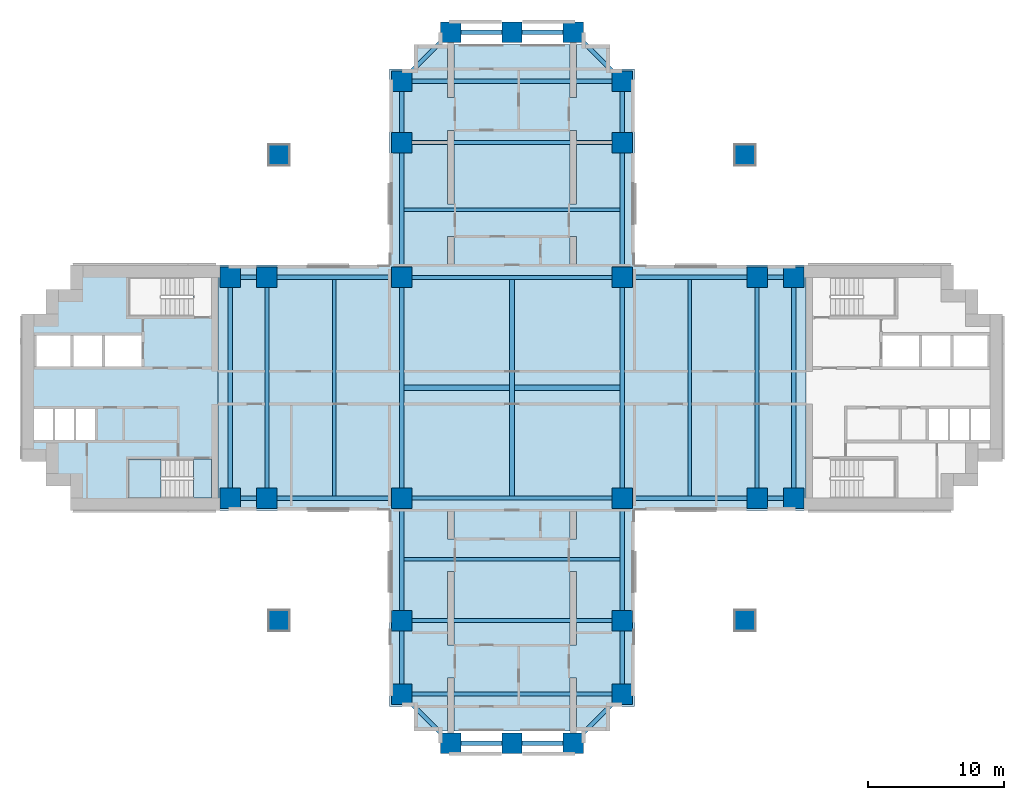
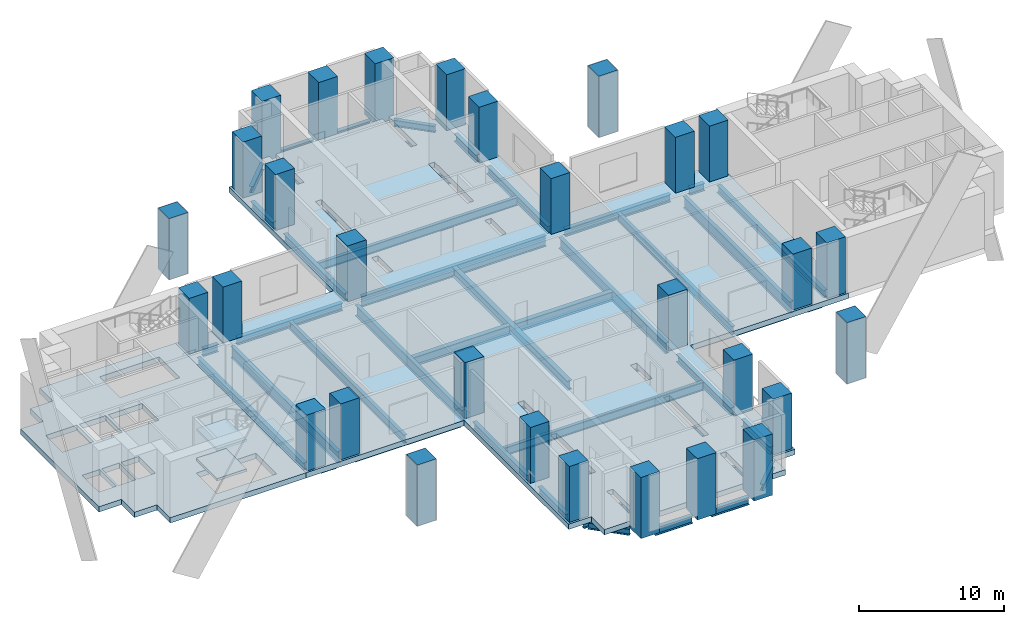
# One storey, part 1 of 10: 43 beams, 30 columns, 5 slabs, 1 element without a shape of its own.
"""IFC4 building model written with IfcOpenShell, lengths in metres."""

from ifc_helpers import new_model, si_unit, direction, frame, origin, origin_2d, place, context, subcontext, project, spatial, polyline, rectangle, i_section, outline, extrude, material, layer, layer_set, material_profile, profile_set, type_object, element, aggregate, save


model = new_model("IFC4")

# Units and contexts
model_context = context("Model", 3, precision=1e-05, world=origin(), true_north=direction((0.0, 1.0)))
body_context = subcontext(model_context, "Body", "Model", "MODEL_VIEW")
ifc_project = project(units=[si_unit("LENGTHUNIT", "METRE"), si_unit("AREAUNIT", "SQUARE_METRE"), si_unit("VOLUMEUNIT", "CUBIC_METRE"), si_unit("PLANEANGLEUNIT", "RADIAN"), si_unit("MASSUNIT", "GRAM", prefix="KILO")], contexts=[model_context])

# Site, building, storey
site_placement = place(None, origin())
site = spatial("IfcSite", under=ifc_project, at=site_placement, CompositionType="ELEMENT")
building_placement = place(site_placement, origin())
building = spatial("IfcBuilding", under=site, at=building_placement, Name="Perihelion Cross Residences", CompositionType="ELEMENT")
storey_placement = place(building_placement, frame((0.0, 0.0, 27.0)))
storey = spatial("IfcBuildingStorey", under=building, at=storey_placement, Name="L03", CompositionType="ELEMENT", Elevation=27.0)

# Columns
ifc_material_1 = material(Name="Concrete C80/95", Category="concrete")
ifc_material_profile_1 = material_profile(ifc_material_1, rectangle(XDim=1.5, YDim=1.5, at=origin_2d()), Name="RC 1500x1500")
ifc_profile_set_1 = profile_set([ifc_material_profile_1], Name="Concrete C80/95")
column_type = type_object("IfcColumnType", Name="Reinforced concrete column 1500x1500 C80/95", PredefinedType="COLUMN", material=ifc_profile_set_1)
for number, where, z_axis, x_axis, name in (
    (1, (-20.699951171875, -8.10009765625, -0.449951171875), (0.0, 0.0, 1.0), (1.0, 0.0, 0.0), "Column C017 L03 no. 1"),
    (2, (-20.699951171875, 8.10009765625, -0.449951171875), (0.0, 0.0, 1.0), (1.0, 0.0, 0.0), "Column C010 L03 no. 1"),
    (3, (-18.0, -8.10009765625, -0.449951171875), (0.0, 0.0, 1.0), (1.0, 0.0, 0.0), "Column C018 L03 no. 1"),
    (4, (-18.0, 8.10009765625, -0.449951171875), (0.0, 0.0, 1.0), (1.0, 0.0, 0.0), "Column C011 L03 no. 1"),
    (5, (-8.10009765625, -22.5, -0.449951171875), (0.0, 0.0, 1.0), (1.0, 0.0, 0.0), "Column C040 L03 no. 1"),
    (6, (-8.10009765625, -17.10009765625, -0.449951171875), (0.0, 0.0, 1.0), (1.0, 0.0, 0.0), "Column C031 L03 no. 1"),
    (7, (-8.10009765625, -8.10009765625, -0.449951171875), (0.0, 0.0, 1.0), (1.0, 0.0, 0.0), "Column C019 L03 no. 1"),
    (8, (-8.10009765625, 8.10009765625, -0.449951171875), (0.0, 0.0, 1.0), (1.0, 0.0, 0.0), "Column C012 L03 no. 1"),
    (9, (-8.10009765625, 18.0, -0.449951171875), (0.0, 0.0, 1.0), (1.0, 0.0, 0.0), "Column C006 L03 no. 1"),
    (10, (-8.10009765625, 22.5, -0.449951171875), (0.0, 0.0, 1.0), (1.0, 0.0, 0.0), "Column C004 L03 no. 1"),
    (11, (-4.5, -26.10009765625, -0.449951171875), (0.0, 0.0, 1.0), (1.0, 0.0, 0.0), "Column C042 L03 no. 1"),
    (12, (-4.5, 26.10009765625, -0.449951171875), (0.0, 0.0, 1.0), (1.0, 0.0, 0.0), "Column C001 L03 no. 1"),
    (13, (0.0, -26.10009765625, -0.449951171875), (0.0, 0.0, 1.0), (1.0, 0.0, 0.0), "Column C043 L03 no. 1"),
    (14, (0.0, 26.10009765625, -0.449951171875), (0.0, 0.0, 1.0), (1.0, 0.0, 0.0), "Column C002 L03 no. 1"),
    (15, (4.5, -26.10009765625, -0.449951171875), (0.0, 0.0, 1.0), (1.0, 0.0, 0.0), "Column C044 L03 no. 1"),
    (16, (4.5, 26.10009765625, -0.449951171875), (0.0, 0.0, 1.0), (1.0, 0.0, 0.0), "Column C003 L03 no. 1"),
    (17, (8.10009765625, -22.5, -0.449951171875), (0.0, 0.0, 1.0), (1.0, 0.0, 0.0), "Column C041 L03 no. 1"),
    (18, (8.10009765625, -17.10009765625, -0.449951171875), (0.0, 0.0, 1.0), (1.0, 0.0, 0.0), "Column C035 L03 no. 1"),
    (19, (8.10009765625, -8.10009765625, -0.449951171875), (0.0, 0.0, 1.0), (1.0, 0.0, 0.0), "Column C020 L03 no. 1"),
    (20, (8.10009765625, 8.10009765625, -0.449951171875), (0.0, 0.0, 1.0), (1.0, 0.0, 0.0), "Column C014 L03 no. 1"),
    (21, (8.10009765625, 18.0, -0.449951171875), (0.0, 0.0, 1.0), (1.0, 0.0, 0.0), "Column C007 L03 no. 1"),
    (22, (8.10009765625, 22.5, -0.449951171875), (0.0, 0.0, 1.0), (1.0, 0.0, 0.0), "Column C005 L03 no. 1"),
    (23, (18.0, -8.10009765625, -0.449951171875), (0.0, 0.0, 1.0), (1.0, 0.0, 0.0), "Column C021 L03 no. 1"),
    (24, (18.0, 8.10009765625, -0.449951171875), (0.0, 0.0, 1.0), (1.0, 0.0, 0.0), "Column C015 L03 no. 1"),
    (25, (20.699951171875, -8.10009765625, -0.449951171875), (0.0, 0.0, 1.0), (1.0, 0.0, 0.0), "Column C022 L03 no. 1"),
    (26, (20.699951171875, 8.10009765625, -0.449951171875), (0.0, 0.0, 1.0), (1.0, 0.0, 0.0), "Column C016 L03 no. 1"),
    (27, (17.10009765625, 17.10009765625, -0.449951171875), (0.0, 0.0, 1.0), (1.0, 0.0, 0.0), "Column C009 L03 no. 1"),
    (28, (-17.10009765625, 17.10009765625, -0.449951171875), (0.0, 0.0, 1.0), (1.0, 0.0, 0.0), "Column C008 L03 no. 1"),
    (29, (-17.10009765625, -17.10009765625, -0.449951171875), (0.0, 0.0, 1.0), (1.0, 0.0, 0.0), "Column C030 L03 no. 1"),
    (30, (17.10009765625, -17.10009765625, -0.449951171875), (0.0, 0.0, 1.0), (1.0, 0.0, 0.0), "Column C036 L03 no. 1"),
):
    element("IfcColumn", number, at=place(storey_placement, frame(where, z_axis=z_axis, x_axis=x_axis)), inside=storey, type_object=column_type, Name=name, PredefinedType="COLUMN", context=body_context, shape_type="SweptSolid", body=[
        extrude(rectangle(XDim=1.5, YDim=1.5, at=origin_2d()), origin(), (0.0, 0.0, 1.0), 5.14990234375),
    ])

# Beams
ifc_material_2 = material(Name="Steel S355", Category="steel")
ifc_material_profile_2 = material_profile(ifc_material_2, i_section(OverallWidth=0.324951171875, OverallDepth=0.616943359375, WebThickness=0.013916015625, FlangeThickness=0.021484375, at=origin_2d()), Name="W610x174")
ifc_profile_set_2 = profile_set([ifc_material_profile_2], Name="Steel S355")
beam_type_1 = type_object("IfcBeamType", Name="Core edge beam W610x174", PredefinedType="BEAM", material=ifc_profile_set_2)
for number, where, z_axis, x_axis, name in (
    (31, (20.699951171875, -7.35009765625, -0.758544921875), (0.0, 1.0, 0.0), (-1.0, 0.0, 0.0), "Core edge beam TB1 L03 no. 2"),
    (32, (-20.699951171875, -7.35009765625, -0.758544921875), (0.0, 1.0, 0.0), (-1.0, 0.0, 0.0), "Core edge beam TB1 L03 no. 1"),
):
    element("IfcBeam", number, at=place(storey_placement, frame(where, z_axis=z_axis, x_axis=x_axis)), inside=storey, type_object=beam_type_1, Name=name, PredefinedType="BEAM", context=body_context, shape_type="SweptSolid", body=[
        extrude(i_section(OverallWidth=0.324951171875, OverallDepth=0.616943359375, WebThickness=0.013916015625, FlangeThickness=0.021484375, at=origin_2d()), origin(), (0.0, 0.0, 1.0), 14.7001953125),
    ])
ifc_material_3 = material(Name="Steel S355", Category="steel")
ifc_material_profile_3 = material_profile(ifc_material_3, i_section(OverallWidth=0.330078125, OverallDepth=0.635009765625, WebThickness=0.017822265625, FlangeThickness=0.031005859375, at=origin_2d()), Name="W610x241")
ifc_profile_set_3 = profile_set([ifc_material_profile_3], Name="Steel S355")
beam_type_2 = type_object("IfcBeamType", Name="Edge beam W610x241", PredefinedType="SPANDREL", material=ifc_profile_set_3)
beam_1_placement = place(storey_placement, frame((19.949951171875, 8.10009765625, -0.767578125), z_axis=(-1.0, 0.0, 0.0), x_axis=(0.0, -1.0, 0.0)))
element("IfcBeam", 33, at=beam_1_placement, inside=storey, type_object=beam_type_2, Name="Edge beam SB1 L03 no. 14", PredefinedType="SPANDREL", context=body_context, shape_type="SweptSolid", body=[
    extrude(i_section(OverallWidth=0.330078125, OverallDepth=0.635009765625, WebThickness=0.017822265625, FlangeThickness=0.031005859375, at=origin_2d()), origin(), (0.0, 0.0, 1.0), 1.199951171875),
])
for number, where, z_axis, x_axis, name in (
    (34, (17.25, 8.10009765625, -0.767578125), (-1.0, 0.0, 0.0), (0.0, -1.0, 0.0), "Edge beam SB1 L03 no. 13"),
    (35, (8.10009765625, 8.85009765625, -0.767578125), (0.0, 1.0, 0.0), (-1.0, 0.0, 0.0), "Edge beam SB1 L03 no. 20"),
):
    element("IfcBeam", number, at=place(storey_placement, frame(where, z_axis=z_axis, x_axis=x_axis)), inside=storey, type_object=beam_type_2, Name=name, PredefinedType="SPANDREL", context=body_context, shape_type="SweptSolid", body=[
        extrude(i_section(OverallWidth=0.330078125, OverallDepth=0.635009765625, WebThickness=0.017822265625, FlangeThickness=0.031005859375, at=origin_2d()), origin(), (0.0, 0.0, 1.0), 8.39990234375),
    ])
for number, where, z_axis, x_axis, name in (
    (36, (8.10009765625, 18.75, -0.767578125), (0.0, 1.0, 0.0), (-1.0, 0.0, 0.0), "Edge beam SB1 L03 no. 19"),
    (37, (3.75, 26.10009765625, -0.767578125), (-1.0, 0.0, 0.0), (0.0, -1.0, 0.0), "Edge beam SB1 L03 no. 15"),
    (38, (-0.75, 26.10009765625, -0.767578125), (-1.0, 0.0, 0.0), (0.0, -1.0, 0.0), "Edge beam SB1 L03 no. 11"),
    (39, (-8.10009765625, 21.75, -0.767578125), (0.0, -1.0, 0.0), (1.0, 0.0, 0.0), "Edge beam SB1 L03 no. 8"),
):
    element("IfcBeam", number, at=place(storey_placement, frame(where, z_axis=z_axis, x_axis=x_axis)), inside=storey, type_object=beam_type_2, Name=name, PredefinedType="SPANDREL", context=body_context, shape_type="SweptSolid", body=[
        extrude(i_section(OverallWidth=0.330078125, OverallDepth=0.635009765625, WebThickness=0.017822265625, FlangeThickness=0.031005859375, at=origin_2d()), origin(), (0.0, 0.0, 1.0), 3.0),
    ])
for number, where, z_axis, x_axis, name in (
    (40, (-8.10009765625, 17.25, -0.767578125), (0.0, -1.0, 0.0), (1.0, 0.0, 0.0), "Edge beam SB1 L03 no. 7"),
    (41, (-8.85009765625, 8.10009765625, -0.767578125), (-1.0, 0.0, 0.0), (0.0, -1.0, 0.0), "Edge beam SB1 L03 no. 9"),
):
    element("IfcBeam", number, at=place(storey_placement, frame(where, z_axis=z_axis, x_axis=x_axis)), inside=storey, type_object=beam_type_2, Name=name, PredefinedType="SPANDREL", context=body_context, shape_type="SweptSolid", body=[
        extrude(i_section(OverallWidth=0.330078125, OverallDepth=0.635009765625, WebThickness=0.017822265625, FlangeThickness=0.031005859375, at=origin_2d()), origin(), (0.0, 0.0, 1.0), 8.39990234375),
    ])
for number, where, z_axis, x_axis, name in (
    (42, (-18.75, 8.10009765625, -0.767578125), (-1.0, 0.0, 0.0), (0.0, -1.0, 0.0), "Edge beam SB1 L03 no. 2"),
    (43, (-19.949951171875, -8.10009765625, -0.767578125), (1.0, 0.0, 0.0), (0.0, 1.0, 0.0), "Edge beam SB1 L03 no. 3"),
):
    element("IfcBeam", number, at=place(storey_placement, frame(where, z_axis=z_axis, x_axis=x_axis)), inside=storey, type_object=beam_type_2, Name=name, PredefinedType="SPANDREL", context=body_context, shape_type="SweptSolid", body=[
        extrude(i_section(OverallWidth=0.330078125, OverallDepth=0.635009765625, WebThickness=0.017822265625, FlangeThickness=0.031005859375, at=origin_2d()), origin(), (0.0, 0.0, 1.0), 1.199951171875),
    ])
beam_2_placement = place(storey_placement, frame((-17.25, -8.10009765625, -0.767578125), z_axis=(1.0, 0.0, 0.0), x_axis=(0.0, 1.0, 0.0)))
element("IfcBeam", 44, at=beam_2_placement, inside=storey, type_object=beam_type_2, Name="Edge beam SB1 L03 no. 1", PredefinedType="SPANDREL", context=body_context, shape_type="SweptSolid", body=[
    extrude(i_section(OverallWidth=0.330078125, OverallDepth=0.635009765625, WebThickness=0.017822265625, FlangeThickness=0.031005859375, at=origin_2d()), origin(), (0.0, 0.0, 1.0), 8.39990234375),
])
beam_3_placement = place(storey_placement, frame((-8.10009765625, -8.85009765625, -0.767578125), z_axis=(0.0, -1.0, 0.0), x_axis=(1.0, 0.0, 0.0)))
element("IfcBeam", 45, at=beam_3_placement, inside=storey, type_object=beam_type_2, Name="Edge beam SB1 L03 no. 6", PredefinedType="SPANDREL", context=body_context, shape_type="SweptSolid", body=[
    extrude(i_section(OverallWidth=0.330078125, OverallDepth=0.635009765625, WebThickness=0.017822265625, FlangeThickness=0.031005859375, at=origin_2d()), origin(), (0.0, 0.0, 1.0), 7.5),
])
beam_4_placement = place(storey_placement, frame((-8.10009765625, -17.85009765625, -0.767578125), z_axis=(0.0, -1.0, 0.0), x_axis=(1.0, 0.0, 0.0)))
element("IfcBeam", 46, at=beam_4_placement, inside=storey, type_object=beam_type_2, Name="Edge beam SB1 L03 no. 5", PredefinedType="SPANDREL", context=body_context, shape_type="SweptSolid", body=[
    extrude(i_section(OverallWidth=0.330078125, OverallDepth=0.635009765625, WebThickness=0.017822265625, FlangeThickness=0.031005859375, at=origin_2d()), origin(), (0.0, 0.0, 1.0), 3.89990234375),
])
for number, where, z_axis, x_axis, name in (
    (47, (-3.75, -26.10009765625, -0.767578125), (1.0, 0.0, 0.0), (0.0, 1.0, 0.0), "Edge beam SB1 L03 no. 4"),
    (48, (0.75, -26.10009765625, -0.767578125), (1.0, 0.0, 0.0), (0.0, 1.0, 0.0), "Edge beam SB1 L03 no. 10"),
):
    element("IfcBeam", number, at=place(storey_placement, frame(where, z_axis=z_axis, x_axis=x_axis)), inside=storey, type_object=beam_type_2, Name=name, PredefinedType="SPANDREL", context=body_context, shape_type="SweptSolid", body=[
        extrude(i_section(OverallWidth=0.330078125, OverallDepth=0.635009765625, WebThickness=0.017822265625, FlangeThickness=0.031005859375, at=origin_2d()), origin(), (0.0, 0.0, 1.0), 3.0),
    ])
beam_5_placement = place(storey_placement, frame((8.10009765625, -21.75, -0.767578125), z_axis=(0.0, 1.0, 0.0), x_axis=(-1.0, 0.0, 0.0)))
element("IfcBeam", 49, at=beam_5_placement, inside=storey, type_object=beam_type_2, Name="Edge beam SB1 L03 no. 17", PredefinedType="SPANDREL", context=body_context, shape_type="SweptSolid", body=[
    extrude(i_section(OverallWidth=0.330078125, OverallDepth=0.635009765625, WebThickness=0.017822265625, FlangeThickness=0.031005859375, at=origin_2d()), origin(), (0.0, 0.0, 1.0), 3.89990234375),
])
beam_6_placement = place(storey_placement, frame((8.10009765625, -16.35009765625, -0.767578125), z_axis=(0.0, 1.0, 0.0), x_axis=(-1.0, 0.0, 0.0)))
element("IfcBeam", 50, at=beam_6_placement, inside=storey, type_object=beam_type_2, Name="Edge beam SB1 L03 no. 16", PredefinedType="SPANDREL", context=body_context, shape_type="SweptSolid", body=[
    extrude(i_section(OverallWidth=0.330078125, OverallDepth=0.635009765625, WebThickness=0.017822265625, FlangeThickness=0.031005859375, at=origin_2d()), origin(), (0.0, 0.0, 1.0), 7.5),
])
beam_7_placement = place(storey_placement, frame((8.85009765625, -8.10009765625, -0.767578125), z_axis=(1.0, 0.0, 0.0), x_axis=(0.0, 1.0, 0.0)))
element("IfcBeam", 51, at=beam_7_placement, inside=storey, type_object=beam_type_2, Name="Edge beam SB1 L03 no. 18", PredefinedType="SPANDREL", context=body_context, shape_type="SweptSolid", body=[
    extrude(i_section(OverallWidth=0.330078125, OverallDepth=0.635009765625, WebThickness=0.017822265625, FlangeThickness=0.031005859375, at=origin_2d()), origin(), (0.0, 0.0, 1.0), 8.39990234375),
])
beam_8_placement = place(storey_placement, frame((18.75, -8.10009765625, -0.767578125), z_axis=(1.0, 0.0, 0.0), x_axis=(0.0, 1.0, 0.0)))
element("IfcBeam", 52, at=beam_8_placement, inside=storey, type_object=beam_type_2, Name="Edge beam SB1 L03 no. 12", PredefinedType="SPANDREL", context=body_context, shape_type="SweptSolid", body=[
    extrude(i_section(OverallWidth=0.330078125, OverallDepth=0.635009765625, WebThickness=0.017822265625, FlangeThickness=0.031005859375, at=origin_2d()), origin(), (0.0, 0.0, 1.0), 1.199951171875),
])
ifc_material_4 = material(Name="Steel S355", Category="steel")
ifc_material_profile_4 = material_profile(ifc_material_4, i_section(OverallWidth=0.300048828125, OverallDepth=0.97998046875, WebThickness=0.0166015625, FlangeThickness=0.026123046875, at=origin_2d()), Name="W1000x249")
ifc_profile_set_4 = profile_set([ifc_material_profile_4], Name="Steel S355")
beam_type_3 = type_object("IfcBeamType", Name="Floor girder W1000x249", PredefinedType="BEAM", material=ifc_profile_set_4)
for number, where, z_axis, x_axis, name in (
    (53, (-7.35009765625, 18.0, -0.93994140625), (1.0, 0.0, 0.0), (0.0, 1.0, 0.0), "Girder G1 L03 no. 5"),
    (54, (-7.35009765625, 22.5, -0.93994140625), (1.0, 0.0, 0.0), (0.0, 1.0, 0.0), "Girder G1 L03 no. 6"),
    (55, (18.0, -7.35009765625, -0.93994140625), (0.0, 1.0, 0.0), (-1.0, 0.0, 0.0), "Girder G1 L03 no. 2"),
    (56, (-7.35009765625, -17.10009765625, -0.93994140625), (1.0, 0.0, 0.0), (0.0, 1.0, 0.0), "Girder G1 L03 no. 3"),
    (57, (-7.35009765625, -22.5, -0.93994140625), (1.0, 0.0, 0.0), (0.0, 1.0, 0.0), "Girder G1 L03 no. 4"),
    (58, (-18.0, -7.35009765625, -0.93994140625), (0.0, 1.0, 0.0), (-1.0, 0.0, 0.0), "Girder G1 L03 no. 1"),
):
    element("IfcBeam", number, at=place(storey_placement, frame(where, z_axis=z_axis, x_axis=x_axis)), inside=storey, type_object=beam_type_3, Name=name, PredefinedType="BEAM", context=body_context, shape_type="SweptSolid", body=[
        extrude(i_section(OverallWidth=0.300048828125, OverallDepth=0.97998046875, WebThickness=0.0166015625, FlangeThickness=0.026123046875, at=origin_2d()), origin(), (0.0, 0.0, 1.0), 14.7001953125),
    ])
ifc_material_5 = material(Name="Steel S355", Category="steel")
ifc_material_profile_5 = material_profile(ifc_material_5, i_section(OverallWidth=0.257080078125, OverallDepth=0.693115234375, WebThickness=0.014404296875, FlangeThickness=0.023681640625, at=origin_2d()), Name="W690x170")
ifc_profile_set_5 = profile_set([ifc_material_profile_5], Name="Steel S355")
beam_type_4 = type_object("IfcBeamType", Name="Floor joist W690x170", PredefinedType="JOIST", material=ifc_profile_set_5)
for number, where, z_axis, x_axis, name in (
    (59, (-7.93505859375, 13.050048828125, -0.79638671875), (1.0, 0.0, 0.0), (0.0, 1.0, 0.0), "Joist J1 L03 no. 4"),
    (60, (13.050048828125, -7.93505859375, -0.79638671875), (0.0, 1.0, 0.0), (-1.0, 0.0, 0.0), "Joist J1 L03 no. 2"),
    (61, (-7.93505859375, -12.60009765625, -0.79638671875), (1.0, 0.0, 0.0), (0.0, 1.0, 0.0), "Joist J1 L03 no. 3"),
    (62, (-13.050048828125, -7.93505859375, -0.79638671875), (0.0, 1.0, 0.0), (-1.0, 0.0, 0.0), "Joist J1 L03 no. 1"),
):
    element("IfcBeam", number, at=place(storey_placement, frame(where, z_axis=z_axis, x_axis=x_axis)), inside=storey, type_object=beam_type_4, Name=name, PredefinedType="JOIST", context=body_context, shape_type="SweptSolid", body=[
        extrude(i_section(OverallWidth=0.257080078125, OverallDepth=0.693115234375, WebThickness=0.014404296875, FlangeThickness=0.023681640625, at=origin_2d()), origin(), (0.0, 0.0, 1.0), 15.8701171875),
    ])
ifc_material_6 = material(Name="Steel S355", Category="steel")
ifc_material_profile_6 = material_profile(ifc_material_6, i_section(OverallWidth=0.381103515625, OverallDepth=0.77197265625, WebThickness=0.0166015625, FlangeThickness=0.027099609375, at=origin_2d()), Name="W760x257")
ifc_profile_set_6 = profile_set([ifc_material_profile_6], Name="Steel S355")
beam_type_5 = type_object("IfcBeamType", Name="Hub cross beam W760x257", PredefinedType="BEAM", material=ifc_profile_set_6)
beam_9_placement = place(storey_placement, frame((0.0, -7.947509765625, -0.8359375), z_axis=(0.0, 1.0, 0.0), x_axis=(-1.0, 0.0, 0.0)))
element("IfcBeam", 63, at=beam_9_placement, inside=storey, type_object=beam_type_5, Name="Hub cross beam XB1 L03 no. 1", PredefinedType="BEAM", context=body_context, shape_type="SweptSolid", body=[
    extrude(i_section(OverallWidth=0.381103515625, OverallDepth=0.77197265625, WebThickness=0.0166015625, FlangeThickness=0.027099609375, at=origin_2d()), origin(), (0.0, 0.0, 1.0), 15.89501953125),
])
for number, where, z_axis, x_axis, name in (
    (64, (-7.947509765625, 0.0, -0.8359375), (1.0, 0.0, 0.0), (0.0, 1.0, 0.0), "Hub cross beam XB1 L03 1 no. 1"),
    (65, (0.1904296875, 0.0, -0.8359375), (1.0, 0.0, 0.0), (0.0, 1.0, 0.0), "Hub cross beam XB1 L03 2 no. 1"),
):
    element("IfcBeam", number, at=place(storey_placement, frame(where, z_axis=z_axis, x_axis=x_axis)), inside=storey, type_object=beam_type_5, Name=name, PredefinedType="BEAM", context=body_context, shape_type="SweptSolid", body=[
        extrude(i_section(OverallWidth=0.381103515625, OverallDepth=0.77197265625, WebThickness=0.0166015625, FlangeThickness=0.027099609375, at=origin_2d()), origin(), (0.0, 0.0, 1.0), 7.757080078125),
    ])
ifc_material_7 = material(Name="Steel S355", Category="steel")
ifc_material_profile_7 = material_profile(ifc_material_7, i_section(OverallWidth=0.304931640625, OverallDepth=0.904052734375, WebThickness=0.01513671875, FlangeThickness=0.02001953125, at=origin_2d()), Name="W920x201")
ifc_profile_set_7 = profile_set([ifc_material_profile_7], Name="Steel S355")
beam_type_6 = type_object("IfcBeamType", Name="Hub ring girder W920x201", PredefinedType="BEAM", material=ifc_profile_set_7)
for number, where, z_axis, x_axis, name in (
    (66, (-7.35009765625, -8.10009765625, -0.902099609375), (1.0, 0.0, 0.0), (0.0, 1.0, 0.0), "Hub ring girder RG1 L03 no. 1"),
    (67, (8.10009765625, -7.35009765625, -0.902099609375), (0.0, 1.0, 0.0), (-1.0, 0.0, 0.0), "Hub ring girder RG1 L03 no. 3"),
    (68, (7.35009765625, 8.10009765625, -0.902099609375), (-1.0, 0.0, 0.0), (0.0, -1.0, 0.0), "Hub ring girder RG1 L03 no. 4"),
    (69, (-8.10009765625, 7.35009765625, -0.902099609375), (0.0, -1.0, 0.0), (1.0, 0.0, 0.0), "Hub ring girder RG1 L03 no. 2"),
):
    element("IfcBeam", number, at=place(storey_placement, frame(where, z_axis=z_axis, x_axis=x_axis)), inside=storey, type_object=beam_type_6, Name=name, PredefinedType="BEAM", context=body_context, shape_type="SweptSolid", body=[
        extrude(i_section(OverallWidth=0.304931640625, OverallDepth=0.904052734375, WebThickness=0.01513671875, FlangeThickness=0.02001953125, at=origin_2d()), origin(), (0.0, 0.0, 1.0), 14.7001953125),
    ])
ifc_material_8 = material(Name="Steel S355", Category="steel")
ifc_material_profile_8 = material_profile(ifc_material_8, i_section(OverallWidth=0.31201171875, OverallDepth=0.5439453125, WebThickness=0.0126953125, FlangeThickness=0.020263671875, at=origin_2d()), Name="W530x150")
ifc_profile_set_8 = profile_set([ifc_material_profile_8], Name="Steel S355")
beam_type_7 = type_object("IfcBeamType", Name="Serration edge beam W530x150", PredefinedType="BEAM", material=ifc_profile_set_8)
for number, where, z_axis, x_axis, name in (
    (70, (7.35009765625, 23.25, -0.721923828125), (-0.707106781187, 0.707106781187, 0.0), (-0.707106781187, -0.707106781187, 0.0), "Serration edge beam EB1 L03 no. 4"),
    (71, (-5.25, 25.35009765625, -0.721923828125), (-0.707106781187, -0.707106781187, 0.0), (0.707106781187, -0.707106781187, 0.0), "Serration edge beam EB1 L03 no. 1"),
    (72, (5.25, -25.35009765625, -0.721923828125), (0.707106781187, 0.707106781187, 0.0), (-0.707106781187, 0.707106781187, 0.0), "Serration edge beam EB1 L03 no. 3"),
    (73, (-7.35009765625, -23.25, -0.721923828125), (0.707106781187, -0.707106781187, 0.0), (0.707106781187, 0.707106781187, 0.0), "Serration edge beam EB1 L03 no. 2"),
):
    element("IfcBeam", number, at=place(storey_placement, frame(where, z_axis=z_axis, x_axis=x_axis)), inside=storey, type_object=beam_type_7, Name=name, PredefinedType="BEAM", context=body_context, shape_type="SweptSolid", body=[
        extrude(i_section(OverallWidth=0.31201171875, OverallDepth=0.5439453125, WebThickness=0.0126953125, FlangeThickness=0.020263671875, at=origin_2d()), origin(), (0.0, 0.0, 1.0), 2.969970703125),
    ])

# Slab
ifc_material_9 = material(Name="Concrete C40/50", Category="concrete")
ifc_layer_1 = layer(ifc_material_9, 0.449951171875)
ifc_layer_set_1 = layer_set([ifc_layer_1], Name="Core floor slab 450")
slab_type_1 = type_object("IfcSlabType", Name="Core floor slab 450", PredefinedType="FLOOR", material=ifc_layer_set_1)
slab_1_placement = place(storey_placement, frame((0.0, 0.0, -0.449951171875)))
element("IfcSlab", 74, at=slab_1_placement, inside=storey, type_object=slab_type_1, Name="West core floor slab", PredefinedType="FLOOR", context=body_context, shape_type="SweptSolid", body=[
    extrude(outline(polyline([(-32.39990234375, 7.199951171875), (-34.199951171875, 7.199951171875), (-34.199951171875, 5.39990234375), (-36.0, 5.39990234375), (-36.0, -5.39990234375), (-34.199951171875, -5.39990234375), (-34.199951171875, -7.199951171875), (-32.39990234375, -7.199951171875), (-32.39990234375, -9.0), (-21.60009765625, -9.0), (-21.60009765625, 9.0), (-32.39990234375, 9.0), (-32.39990234375, 7.199951171875)]), holes=[polyline([(-23.405029296875, -8.10009765625), (-28.14990234375, -8.10009765625), (-28.14990234375, -5.25), (-23.405029296875, -5.25), (-23.405029296875, -8.10009765625)]), polyline([(-30.60009765625, -1.550048828125), (-30.60009765625, -3.85009765625), (-32.0, -3.85009765625), (-32.0, -1.550048828125), (-30.60009765625, -1.550048828125)]), polyline([(-32.14990234375, -1.550048828125), (-32.14990234375, -3.85009765625), (-33.550048828125, -3.85009765625), (-33.550048828125, -1.550048828125), (-32.14990234375, -1.550048828125)]), polyline([(-33.699951171875, -1.550048828125), (-33.699951171875, -3.85009765625), (-35.10009765625, -3.85009765625), (-35.10009765625, -1.550048828125), (-33.699951171875, -1.550048828125)]), polyline([(-27.199951171875, 3.85009765625), (-27.199951171875, 1.550048828125), (-29.89990234375, 1.550048828125), (-29.89990234375, 3.85009765625), (-27.199951171875, 3.85009765625)]), polyline([(-30.10009765625, 3.85009765625), (-30.10009765625, 1.550048828125), (-32.199951171875, 1.550048828125), (-32.199951171875, 3.85009765625), (-30.10009765625, 3.85009765625)]), polyline([(-32.39990234375, 3.85009765625), (-32.39990234375, 1.550048828125), (-34.89990234375, 1.550048828125), (-34.89990234375, 3.85009765625), (-32.39990234375, 3.85009765625)]), polyline([(-23.405029296875, 5.25), (-28.14990234375, 5.25), (-28.14990234375, 8.10009765625), (-23.405029296875, 8.10009765625), (-23.405029296875, 5.25)])]), origin(), (0.0, 0.0, 1.0), 0.449951171875),
])

# Stair, slabs
ifc_material_10 = material(Name="Concrete C40/50", Category="concrete")
stair_type = type_object("IfcStairType", Name="Exit stair, half-turn", PredefinedType="HALF_TURN_STAIR", material=ifc_material_10)
stair_placement = place(storey_placement, origin())
stair = element("IfcStair", 75, at=stair_placement, inside=storey, type_object=stair_type, Name="L03 West core exit stair 2", PredefinedType="HALF_TURN_STAIR")
ifc_material_11 = material(Name="Concrete C40/50", Category="concrete")
ifc_layer_2 = layer(ifc_material_11, 0.199951171875)
ifc_layer_set_2 = layer_set([ifc_layer_2], Name="Exit stair landing 200")
slab_type_2 = type_object("IfcSlabType", Name="Exit stair landing 200", PredefinedType="LANDING", material=ifc_layer_set_2)
slab_2_placement = place(storey_placement, frame((0.0, 0.0, 1.050048828125)))
slab_2 = element("IfcSlab", 76, at=slab_2_placement, type_object=slab_type_2, Name="ST-W2 landing 1", PredefinedType="LANDING", context=body_context, shape_type="SweptSolid", body=[
    extrude(outline(polyline([(-25.780029296875, -5.25), (-28.14990234375, -5.25), (-28.14990234375, -8.10009765625), (-25.780029296875, -8.10009765625), (-25.780029296875, -5.25)])), origin(), (0.0, 0.0, 1.0), 0.199951171875),
])
slab_3_placement = place(storey_placement, frame((0.0, 0.0, 2.300048828125)))
slab_3 = element("IfcSlab", 77, at=slab_3_placement, type_object=slab_type_2, Name="ST-W2 landing 2", PredefinedType="LANDING", context=body_context, shape_type="SweptSolid", body=[
    extrude(outline(polyline([(-22.050048828125, -5.25), (-23.39990234375, -5.25), (-23.39990234375, -8.10009765625), (-22.050048828125, -8.10009765625), (-22.050048828125, -5.25)])), origin(), (0.0, 0.0, 1.0), 0.199951171875),
])
slab_4_placement = place(storey_placement, frame((0.0, 0.0, 3.550048828125)))
slab_4 = element("IfcSlab", 78, at=slab_4_placement, type_object=slab_type_2, Name="ST-W2 landing 3", PredefinedType="LANDING", context=body_context, shape_type="SweptSolid", body=[
    extrude(outline(polyline([(-25.780029296875, -5.25), (-28.14990234375, -5.25), (-28.14990234375, -8.10009765625), (-25.780029296875, -8.10009765625), (-25.780029296875, -5.25)])), origin(), (0.0, 0.0, 1.0), 0.199951171875),
])
aggregate(stair, [slab_2, slab_3, slab_4])

# Slab
ifc_material_12 = material(Name="Concrete C50/60", Category="concrete")
ifc_layer_3 = layer(ifc_material_12, 0.449951171875)
ifc_layer_set_3 = layer_set([ifc_layer_3], Name="Plant floor post-tensioned slab concrete C50/60")
slab_type_3 = type_object("IfcSlabType", Name="Plant floor post-tensioned slab concrete C50/60", PredefinedType="FLOOR", material=ifc_layer_set_3)
slab_5_placement = place(storey_placement, frame((0.0, 0.0, -0.449951171875)))
element("IfcSlab", 79, at=slab_5_placement, inside=storey, type_object=slab_type_3, Name="Slab SL7 L03 1 no. 1", PredefinedType="FLOOR", context=body_context, shape_type="SweptSolid", body=[
    extrude(outline(polyline([(7.199951171875, 23.39990234375), (9.0, 23.39990234375), (9.0, 9.0), (21.60009765625, 9.0), (21.60009765625, -9.0), (9.0, -9.0), (9.0, -23.39990234375), (7.199951171875, -23.39990234375), (7.199951171875, -25.199951171875), (5.39990234375, -25.199951171875), (4.75, -25.199951171875), (4.75, -21.300048828125), (4.25, -21.300048828125), (4.25, -25.199951171875), (-4.25, -25.199951171875), (-4.25, -21.300048828125), (-4.75, -21.300048828125), (-4.75, -25.199951171875), (-5.39990234375, -25.199951171875), (-7.199951171875, -25.199951171875), (-7.199951171875, -23.39990234375), (-9.0, -23.39990234375), (-9.0, -9.0), (-21.60009765625, -9.0), (-21.60009765625, 9.0), (-9.0, 9.0), (-9.0, 23.39990234375), (-7.199951171875, 23.39990234375), (-7.199951171875, 25.199951171875), (-5.39990234375, 25.199951171875), (-4.75, 25.199951171875), (-4.75, 21.300048828125), (-4.25, 21.300048828125), (-4.25, 25.199951171875), (4.25, 25.199951171875), (4.25, 21.300048828125), (4.75, 21.300048828125), (4.75, 25.199951171875), (5.39990234375, 25.199951171875), (7.199951171875, 25.199951171875), (7.199951171875, 23.39990234375)]), holes=[polyline([(-7.35009765625, -23.25), (-7.35009765625, -21.75), (-8.85009765625, -21.75), (-8.85009765625, -23.25), (-7.35009765625, -23.25)]), polyline([(-8.85009765625, -17.85009765625), (-7.35009765625, -17.85009765625), (-7.35009765625, -16.35009765625), (-8.85009765625, -16.35009765625), (-8.85009765625, -17.85009765625)]), polyline([(-21.449951171875, -8.85009765625), (-19.949951171875, -8.85009765625), (-19.949951171875, -7.35009765625), (-21.449951171875, -7.35009765625), (-21.449951171875, -8.85009765625)]), polyline([(-17.25, -8.85009765625), (-17.25, -7.35009765625), (-18.75, -7.35009765625), (-18.75, -8.85009765625), (-17.25, -8.85009765625)]), polyline([(-7.35009765625, -8.85009765625), (-7.35009765625, -7.35009765625), (-8.85009765625, -7.35009765625), (-8.85009765625, -8.85009765625), (-7.35009765625, -8.85009765625)]), polyline([(-21.449951171875, 7.35009765625), (-19.949951171875, 7.35009765625), (-19.949951171875, 8.85009765625), (-21.449951171875, 8.85009765625), (-21.449951171875, 7.35009765625)]), polyline([(-18.75, 7.35009765625), (-17.25, 7.35009765625), (-17.25, 8.85009765625), (-18.75, 8.85009765625), (-18.75, 7.35009765625)]), polyline([(-7.35009765625, 7.35009765625), (-7.35009765625, 8.85009765625), (-8.85009765625, 8.85009765625), (-8.85009765625, 7.35009765625), (-7.35009765625, 7.35009765625)]), polyline([(-7.35009765625, 17.25), (-7.35009765625, 18.75), (-8.85009765625, 18.75), (-8.85009765625, 17.25), (-7.35009765625, 17.25)]), polyline([(-7.35009765625, 21.75), (-7.35009765625, 23.25), (-8.85009765625, 23.25), (-8.85009765625, 21.75), (-7.35009765625, 21.75)]), polyline([(-4.25, -18.89990234375), (-4.25, -13.5), (-4.75, -13.5), (-4.75, -18.89990234375), (-4.25, -18.89990234375)]), polyline([(4.25, -18.89990234375), (4.75, -18.89990234375), (4.75, -13.5), (4.25, -13.5), (4.25, -18.89990234375)]), polyline([(-4.75, -11.10009765625), (-4.25, -11.10009765625), (-4.25, -9.0), (-4.75, -9.0), (-4.75, -11.10009765625)]), polyline([(-4.25, 9.0), (-4.25, 11.10009765625), (-4.75, 11.10009765625), (-4.75, 9.0), (-4.25, 9.0)]), polyline([(4.75, 9.0), (4.75, 11.10009765625), (4.25, 11.10009765625), (4.25, 9.0), (4.75, 9.0)]), polyline([(-4.25, 13.5), (-4.25, 18.89990234375), (-4.75, 18.89990234375), (-4.75, 13.5), (-4.25, 13.5)]), polyline([(8.85009765625, -23.25), (8.85009765625, -21.75), (7.35009765625, -21.75), (7.35009765625, -23.25), (8.85009765625, -23.25)]), polyline([(7.35009765625, -17.85009765625), (8.85009765625, -17.85009765625), (8.85009765625, -16.35009765625), (7.35009765625, -16.35009765625), (7.35009765625, -17.85009765625)]), polyline([(4.25, -11.10009765625), (4.75, -11.10009765625), (4.75, -9.0), (4.25, -9.0), (4.25, -11.10009765625)]), polyline([(8.85009765625, -8.85009765625), (8.85009765625, -7.35009765625), (7.35009765625, -7.35009765625), (7.35009765625, -8.85009765625), (8.85009765625, -8.85009765625)]), polyline([(18.75, -8.85009765625), (18.75, -7.35009765625), (17.25, -7.35009765625), (17.25, -8.85009765625), (18.75, -8.85009765625)]), polyline([(21.449951171875, -8.85009765625), (21.449951171875, -7.35009765625), (19.949951171875, -7.35009765625), (19.949951171875, -8.85009765625), (21.449951171875, -8.85009765625)]), polyline([(7.35009765625, 7.35009765625), (8.85009765625, 7.35009765625), (8.85009765625, 8.85009765625), (7.35009765625, 8.85009765625), (7.35009765625, 7.35009765625)]), polyline([(18.75, 7.35009765625), (18.75, 8.85009765625), (17.25, 8.85009765625), (17.25, 7.35009765625), (18.75, 7.35009765625)]), polyline([(19.949951171875, 7.35009765625), (21.449951171875, 7.35009765625), (21.449951171875, 8.85009765625), (19.949951171875, 8.85009765625), (19.949951171875, 7.35009765625)]), polyline([(4.25, 13.5), (4.75, 13.5), (4.75, 18.89990234375), (4.25, 18.89990234375), (4.25, 13.5)]), polyline([(8.85009765625, 17.25), (8.85009765625, 18.75), (7.35009765625, 18.75), (7.35009765625, 17.25), (8.85009765625, 17.25)]), polyline([(7.35009765625, 21.75), (8.85009765625, 21.75), (8.85009765625, 23.25), (7.35009765625, 23.25), (7.35009765625, 21.75)])]), origin(), (0.0, 0.0, 1.0), 0.449951171875),
])

save(model, "model.ifc")
